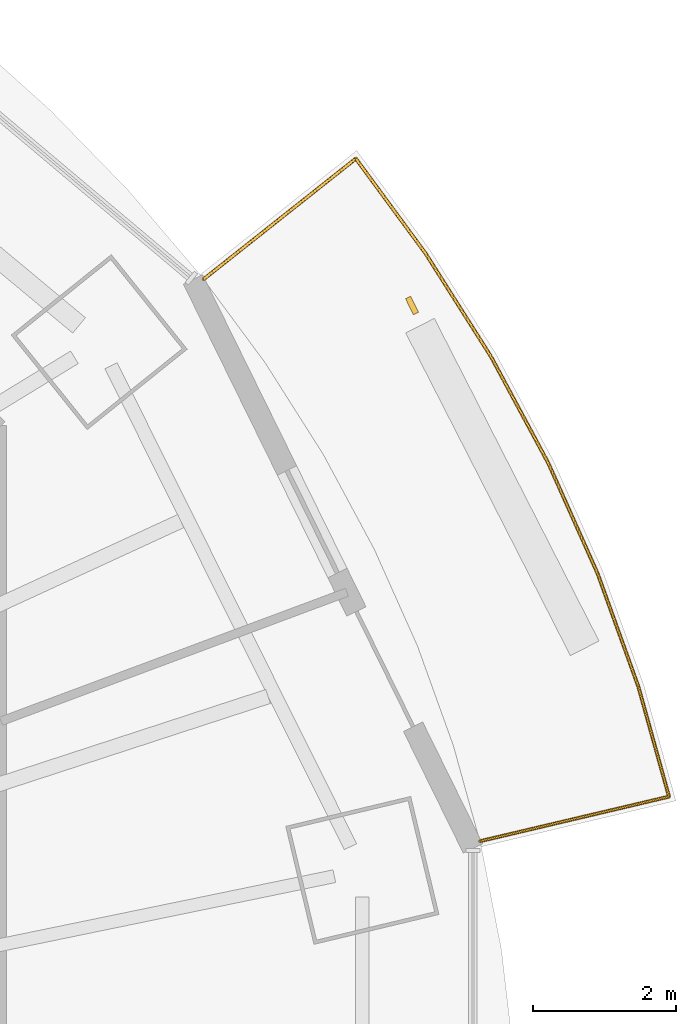
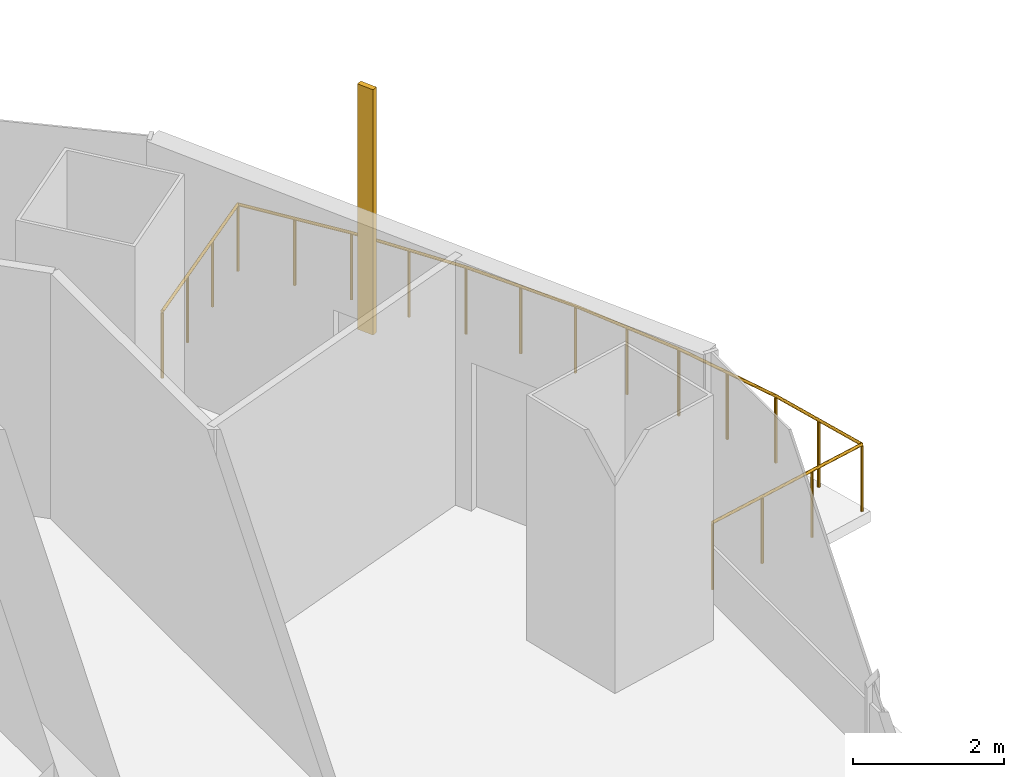
# One storey, part 15 of 16: 1 railing, 1 shading device.
"""IFC4 building model written with IfcOpenShell, lengths in metres."""

from ifc_helpers import new_model, si_unit, direction, frame, origin, origin_2d, place, context, subcontext, project, spatial, rectangle, circle, extrude, material, material_profile, profile_set, type_object, element, save


model = new_model("IFC4")

# Units and contexts
model_context = context("Model", 3, precision=1e-05, world=origin(), true_north=direction((0.0, 1.0)))
body_context = subcontext(model_context, "Body", "Model", "MODEL_VIEW")
ifc_project = project(units=[si_unit("LENGTHUNIT", "METRE"), si_unit("AREAUNIT", "SQUARE_METRE"), si_unit("VOLUMEUNIT", "CUBIC_METRE"), si_unit("PLANEANGLEUNIT", "RADIAN"), si_unit("MASSUNIT", "GRAM", prefix="KILO")], contexts=[model_context])

# Site, building, storey
site_placement = place(None, origin())
site = spatial("IfcSite", under=ifc_project, at=site_placement, CompositionType="ELEMENT")
building_placement = place(site_placement, origin())
building = spatial("IfcBuilding", under=site, at=building_placement, Name="Marenthal Gate Tower", CompositionType="ELEMENT")
storey_placement = place(building_placement, frame((0.0, 0.0, 367.5)))
storey = spatial("IfcBuildingStorey", under=building, at=storey_placement, Name="L83", CompositionType="ELEMENT", Elevation=367.5)

# Railing
ifc_material_1 = material(Name="Stainless steel", Category="steel")
railing_type = type_object("IfcRailingType", Name="Balcony guard 1100", PredefinedType="GUARDRAIL", material=ifc_material_1)
railing_placement = place(storey_placement, frame((21.587890625, 13.188232421875, 0.0)))
element("IfcRailing", 1, at=railing_placement, inside=storey, type_object=railing_type, Name="Balcony guard L83 bay 1", PredefinedType="GUARDRAIL", context=body_context, shape_type="SweptSolid", body=[
    extrude(circle(Radius=0.02392578125, at=origin_2d()), frame((0.0, 0.0, 1.076171875), z_axis=(0.783769769253, 0.620877048402, -0.014718681113), x_axis=(-0.6209443126, 0.783854680824, 0.0)), (0.0, 0.0, 1.0), 2.72021484375),
    extrude(circle(Radius=0.02392578125, at=origin_2d()), frame((2.132080078125, 1.68896484375, 1.0361328125), z_axis=(0.592398949291, -0.805644763453, 0.0), x_axis=(0.805644763453, 0.592398949291, 0.0)), (0.0, 0.0, 1.0), 1.645263671875),
    extrude(circle(Radius=0.02392578125, at=origin_2d()), frame((3.106689453125, 0.363525390625, 1.0361328125), z_axis=(0.535611442073, -0.844464554093, 0.0), x_axis=(0.844464554093, 0.535611442073, 0.0)), (0.0, 0.0, 1.0), 1.712890625),
    extrude(circle(Radius=0.02392578125, at=origin_2d()), frame((4.024169921875, -1.0830078125, 1.0361328125), z_axis=(0.473697696888, -0.880687510961, 0.0), x_axis=(0.880687510961, 0.473697696888, 0.0)), (0.0, 0.0, 1.0), 1.701904296875),
    extrude(circle(Radius=0.02392578125, at=origin_2d()), frame((4.830322265625, -2.581787109375, 1.0361328125), z_axis=(0.407717433046, -0.913108150654, 0.0), x_axis=(0.913108150654, 0.407717433046, 0.0)), (0.0, 0.0, 1.0), 1.692138671875),
    extrude(circle(Radius=0.02392578125, at=origin_2d()), frame((5.520263671875, -4.126953125, 1.0361328125), z_axis=(0.338760549355, -0.940872621666, 0.0), x_axis=(0.940872621666, 0.338760549355, 0.0)), (0.0, 0.0, 1.0), 1.68359375),
    extrude(circle(Radius=0.02392578125, at=origin_2d()), frame((6.090576171875, -5.7109375, 1.0361328125), z_axis=(0.268353564757, -0.963320488873, 0.0), x_axis=(0.963320488873, 0.268353564757, 0.0)), (0.0, 0.0, 1.0), 1.5966796875),
    extrude(circle(Radius=0.02392578125, at=origin_2d()), frame((6.51904296875, -7.2490234375, 1.0361328125), z_axis=(-0.973197410229, -0.229499748958, 0.014719577172), x_axis=(0.22952461539, -0.973302856736, 0.0)), (0.0, 0.0, 1.0), 2.72021484375),
    extrude(circle(Radius=0.02099609375, at=origin_2d()), origin(), (0.0, 0.0, 1.0), 1.052001953125),
    extrude(circle(Radius=0.02099609375, at=origin_2d()), frame((0.710693359375, 0.56298828125, -0.013427734375)), (0.0, 0.0, 1.0), 1.052001953125),
    extrude(circle(Radius=0.02099609375, at=origin_2d()), frame((1.42138671875, 1.1259765625, -0.026611328125)), (0.0, 0.0, 1.0), 1.052001953125),
    extrude(circle(Radius=0.02099609375, at=origin_2d()), frame((2.132080078125, 1.68896484375, -0.0400390625)), (0.0, 0.0, 1.0), 1.052001953125),
    extrude(circle(Radius=0.02099609375, at=origin_2d()), frame((2.619384765625, 1.0263671875, -0.0400390625)), (0.0, 0.0, 1.0), 1.052001953125),
    extrude(circle(Radius=0.02099609375, at=origin_2d()), frame((3.106689453125, 0.363525390625, -0.0400390625)), (0.0, 0.0, 1.0), 1.052001953125),
    extrude(circle(Radius=0.02099609375, at=origin_2d()), frame((3.5654296875, -0.35986328125, -0.0400390625)), (0.0, 0.0, 1.0), 1.052001953125),
    extrude(circle(Radius=0.02099609375, at=origin_2d()), frame((4.024169921875, -1.0830078125, -0.0400390625)), (0.0, 0.0, 1.0), 1.052001953125),
    extrude(circle(Radius=0.02099609375, at=origin_2d()), frame((4.42724609375, -1.83251953125, -0.0400390625)), (0.0, 0.0, 1.0), 1.052001953125),
    extrude(circle(Radius=0.02099609375, at=origin_2d()), frame((4.830322265625, -2.581787109375, -0.0400390625)), (0.0, 0.0, 1.0), 1.052001953125),
    extrude(circle(Radius=0.02099609375, at=origin_2d()), frame((5.17529296875, -3.3544921875, -0.0400390625)), (0.0, 0.0, 1.0), 1.052001953125),
    extrude(circle(Radius=0.02099609375, at=origin_2d()), frame((5.520263671875, -4.126953125, -0.0400390625)), (0.0, 0.0, 1.0), 1.052001953125),
    extrude(circle(Radius=0.02099609375, at=origin_2d()), frame((5.805419921875, -4.9189453125, -0.0400390625)), (0.0, 0.0, 1.0), 1.052001953125),
    extrude(circle(Radius=0.02099609375, at=origin_2d()), frame((6.090576171875, -5.7109375, -0.0400390625)), (0.0, 0.0, 1.0), 1.052001953125),
    extrude(circle(Radius=0.02099609375, at=origin_2d()), frame((6.3046875, -6.47998046875, -0.0400390625)), (0.0, 0.0, 1.0), 1.052001953125),
    extrude(circle(Radius=0.02099609375, at=origin_2d()), frame((6.51904296875, -7.2490234375, -0.0400390625)), (0.0, 0.0, 1.0), 1.052001953125),
    extrude(circle(Radius=0.02099609375, at=origin_2d()), frame((5.63671875, -7.45703125, -0.026611328125)), (0.0, 0.0, 1.0), 1.052001953125),
    extrude(circle(Radius=0.02099609375, at=origin_2d()), frame((4.754150390625, -7.665283203125, -0.013427734375)), (0.0, 0.0, 1.0), 1.052001953125),
    extrude(circle(Radius=0.02099609375, at=origin_2d()), frame((3.871826171875, -7.873291015625, 0.0)), (0.0, 0.0, 1.0), 1.052001953125),
])

# Shading device
ifc_material_2 = material(Name="Terracotta", Category="masonry")
ifc_material_profile = material_profile(ifc_material_2, rectangle(XDim=0.25, YDim=0.080078125, at=origin_2d()), Name="Terracotta baguette 250x80")
ifc_profile_set = profile_set([ifc_material_profile], Name="Terracotta")
shading_device_type = type_object("IfcShadingDeviceType", Name="Terracotta BAGUETTE SCREEN 250x80", PredefinedType="USERDEFINED", material=ifc_profile_set)
shading_device_placement = place(storey_placement, frame((24.506591796875, 12.820068359375, -0.0400390625), z_axis=(0.0, 0.0, 1.0), x_axis=(-0.441063469926, 0.897475913603, 0.0)))
element("IfcShadingDevice", 2, at=shading_device_placement, inside=storey, type_object=shading_device_type, Name="Terracotta BAGUETTE L83 bay 1R", ObjectType="BAGUETTE SCREEN", PredefinedType="USERDEFINED", context=body_context, shape_type="SweptSolid", body=[
    extrude(rectangle(XDim=0.25, YDim=0.080078125, at=origin_2d()), origin(), (0.0, 0.0, 1.0), 3.969970703125),
])

save(model, "model.ifc")
